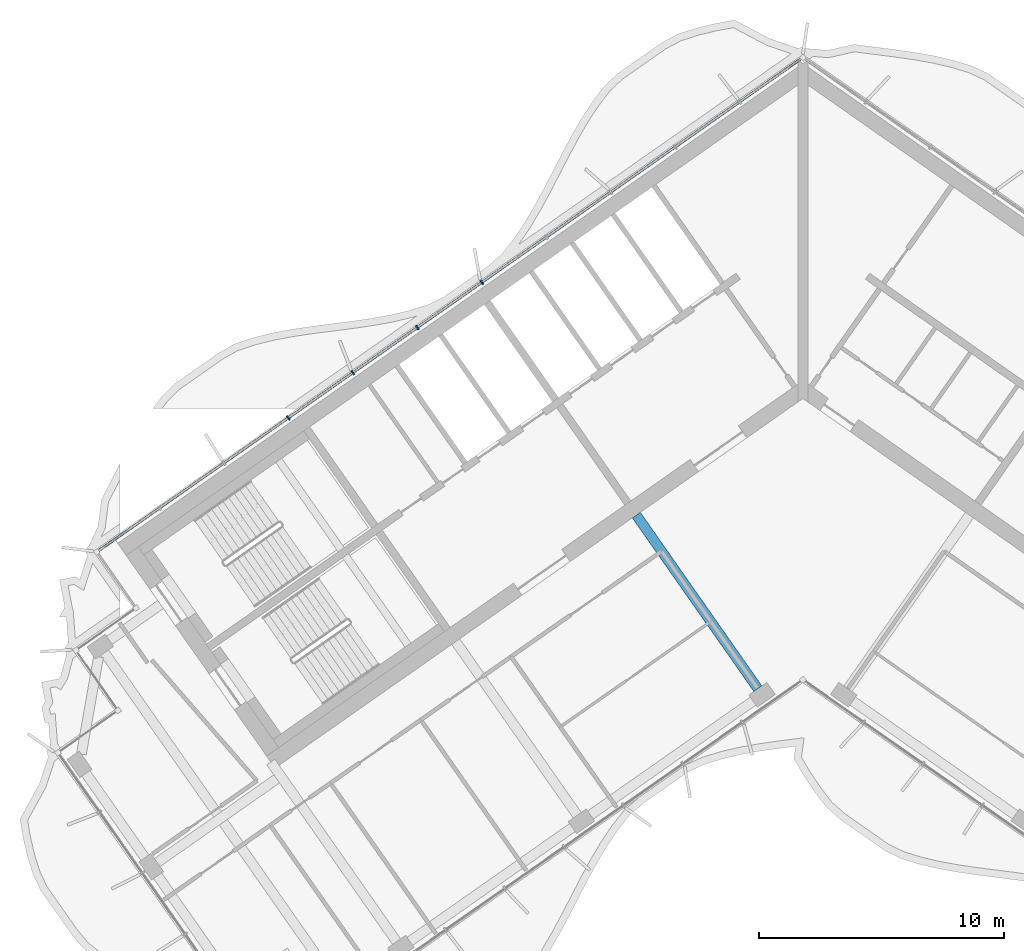
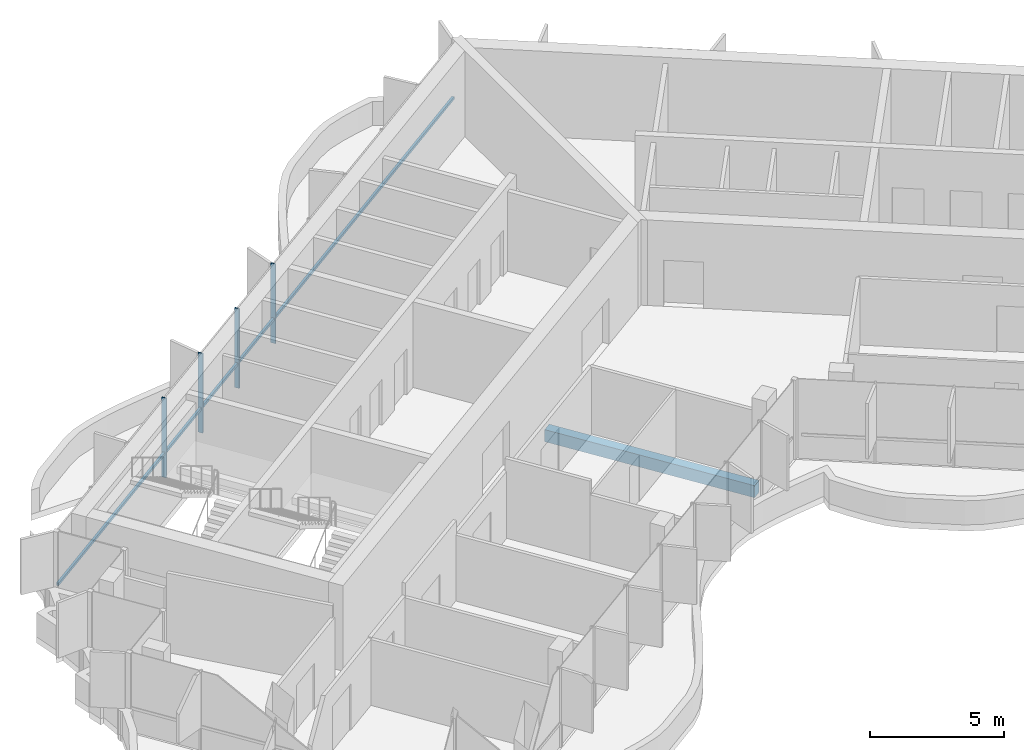
# One storey, part 3 of 18: 5 members, 1 beam, 1 element without a shape of its own.
"""IFC4 building model written with IfcOpenShell, lengths in metres."""

from ifc_helpers import new_model, si_unit, direction, frame, origin, origin_2d, place, context, subcontext, project, spatial, rectangle, extrude, material, material_profile, profile_set, type_object, element, aggregate, save


model = new_model("IFC4")

# Units and contexts
model_context = context("Model", 3, precision=1e-05, world=origin(), true_north=direction((0.0, 1.0)))
body_context = subcontext(model_context, "Body", "Model", "MODEL_VIEW")
ifc_project = project(units=[si_unit("LENGTHUNIT", "METRE"), si_unit("AREAUNIT", "SQUARE_METRE"), si_unit("VOLUMEUNIT", "CUBIC_METRE"), si_unit("PLANEANGLEUNIT", "RADIAN"), si_unit("MASSUNIT", "GRAM", prefix="KILO")], contexts=[model_context])

# Site, building, storey
site_placement = place(None, origin())
site = spatial("IfcSite", under=ifc_project, at=site_placement, CompositionType="ELEMENT")
building_placement = place(site_placement, origin())
building = spatial("IfcBuilding", under=site, at=building_placement, Name="Tel Ilan Convention Tower", CompositionType="ELEMENT")
storey_placement = place(building_placement, frame((0.0, 0.0, 303.39990234375)))
storey = spatial("IfcBuildingStorey", under=building, at=storey_placement, Name="L72", CompositionType="ELEMENT", Elevation=303.39990234375)

# Beam
ifc_material_1 = material(Name="Concrete C40/50", Category="concrete")
ifc_material_profile_1 = material_profile(ifc_material_1, rectangle(XDim=0.39990234375, YDim=0.550048828125, at=origin_2d()), Name="RC 400x550")
ifc_profile_set_1 = profile_set([ifc_material_profile_1], Name="Concrete C40/50")
beam_type = type_object("IfcBeamType", Name="Beam RC 400x550 Concrete C40/50", PredefinedType="BEAM", material=ifc_profile_set_1)
beam_placement = place(storey_placement, frame((-1.83740234375, -13.06689453125, -0.554931640625), z_axis=(-0.573574099654, 0.819153680457, 0.0), x_axis=(-0.819153680457, -0.573574099654, 0.0)))
element("IfcBeam", 1, at=beam_placement, inside=storey, type_object=beam_type, Name="L72 beam W-W-F1-core", PredefinedType="BEAM", context=body_context, shape_type="SweptSolid", body=[
    extrude(rectangle(XDim=0.39990234375, YDim=0.550048828125, at=origin_2d()), origin(), (0.0, 0.0, 1.0), 8.64990234375),
])

# Curtain wall, members
ifc_material_2 = material(Name="Aluminium, bronze anodised", Category="aluminium")
curtain_wall_type = type_object("IfcCurtainWallType", Name="CW2 STICK CURTAIN WALL, SPANDREL PANELS", PredefinedType="NOTDEFINED", material=ifc_material_2)
curtain_wall_placement = place(storey_placement, origin())
curtain_wall = element("IfcCurtainWall", 2, at=curtain_wall_placement, inside=storey, type_object=curtain_wall_type, Name="Curtain wall CW2-54.01", PredefinedType="NOTDEFINED")
ifc_material_3 = material(Name="Aluminium, bronze anodised", Category="aluminium")
ifc_material_profile_2 = material_profile(ifc_material_3, rectangle(XDim=0.06005859375, YDim=0.199951171875, at=origin_2d()), Name="CW MULLION 60x200")
ifc_profile_set_2 = profile_set([ifc_material_profile_2], Name="Aluminium, bronze anodised")
member_type_1 = type_object("IfcMemberType", Name="CW MULLION 60x200", PredefinedType="MULLION", material=ifc_profile_set_2)
member_1_placement = place(storey_placement, frame((-13.105712890625, 3.519287109375, 0.0), z_axis=(0.0, 0.0, 1.0), x_axis=(-0.819152044289, -0.573576436351, 0.0)))
member_1 = element("IfcMember", 3, at=member_1_placement, type_object=member_type_1, Name="Mullion", PredefinedType="MULLION", context=body_context, shape_type="SweptSolid", body=[
    extrude(rectangle(XDim=0.06005859375, YDim=0.199951171875, at=origin_2d()), origin(), (0.0, 0.0, 1.0), 3.6201171875),
])
member_2_placement = place(storey_placement, frame((-15.73828125, 1.676025390625, 0.0), z_axis=(0.0, 0.0, 1.0), x_axis=(-0.819152044289, -0.573576436351, 0.0)))
member_2 = element("IfcMember", 4, at=member_2_placement, type_object=member_type_1, Name="Mullion", PredefinedType="MULLION", context=body_context, shape_type="SweptSolid", body=[
    extrude(rectangle(XDim=0.06005859375, YDim=0.199951171875, at=origin_2d()), origin(), (0.0, 0.0, 1.0), 3.6201171875),
])
member_3_placement = place(storey_placement, frame((-18.37109375, -0.16748046875, 0.0), z_axis=(0.0, 0.0, 1.0), x_axis=(-0.819152044289, -0.573576436351, 0.0)))
member_3 = element("IfcMember", 5, at=member_3_placement, type_object=member_type_1, Name="Mullion", PredefinedType="MULLION", context=body_context, shape_type="SweptSolid", body=[
    extrude(rectangle(XDim=0.06005859375, YDim=0.199951171875, at=origin_2d()), origin(), (0.0, 0.0, 1.0), 3.6201171875),
])
member_4_placement = place(storey_placement, frame((-21.003662109375, -2.0107421875, 0.0), z_axis=(0.0, 0.0, 1.0), x_axis=(-0.819152044289, -0.573576436351, 0.0)))
member_4 = element("IfcMember", 6, at=member_4_placement, type_object=member_type_1, Name="Mullion", PredefinedType="MULLION", context=body_context, shape_type="SweptSolid", body=[
    extrude(rectangle(XDim=0.06005859375, YDim=0.199951171875, at=origin_2d()), origin(), (0.0, 0.0, 1.0), 3.6201171875),
])
ifc_material_4 = material(Name="Aluminium, bronze anodised", Category="aluminium")
ifc_material_profile_3 = material_profile(ifc_material_4, rectangle(XDim=0.10009765625, YDim=0.1201171875, at=origin_2d()), Name="CW TRANSOM 100x120")
ifc_profile_set_3 = profile_set([ifc_material_profile_3], Name="Aluminium, bronze anodised")
member_type_2 = type_object("IfcMemberType", Name="CW TRANSOM 100x120", PredefinedType="USERDEFINED", material=ifc_profile_set_3)
member_5_placement = place(storey_placement, frame((-0.1064453125, 12.62158203125, 1.10009765625), z_axis=(-0.819150201937, -0.573579067494, 0.0), x_axis=(0.573579067494, -0.819150201937, 0.0)))
member_5 = element("IfcMember", 7, at=member_5_placement, type_object=member_type_2, Name="Transom", ObjectType="TRANSOM", PredefinedType="USERDEFINED", context=body_context, shape_type="SweptSolid", body=[
    extrude(rectangle(XDim=0.10009765625, YDim=0.1201171875, at=origin_2d()), origin(), (0.0, 0.0, 1.0), 34.9521484375),
])
aggregate(curtain_wall, [member_1, member_2, member_3, member_4, member_5])

save(model, "model.ifc")
